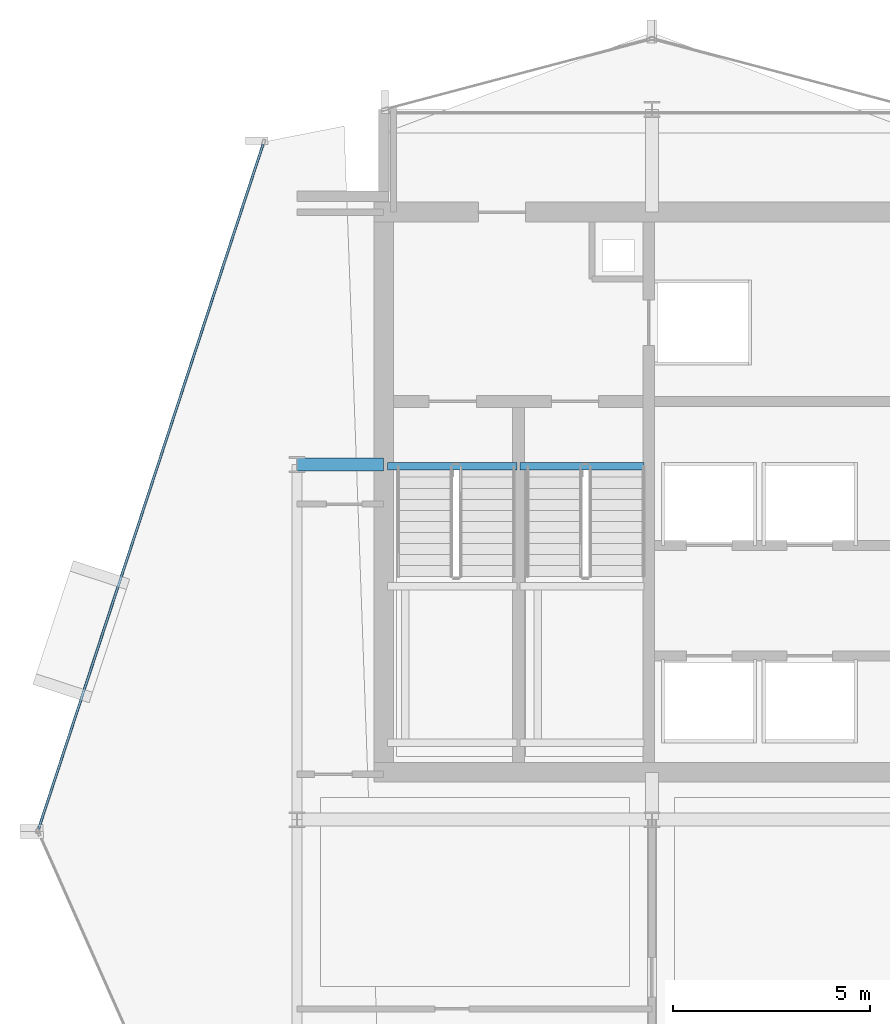
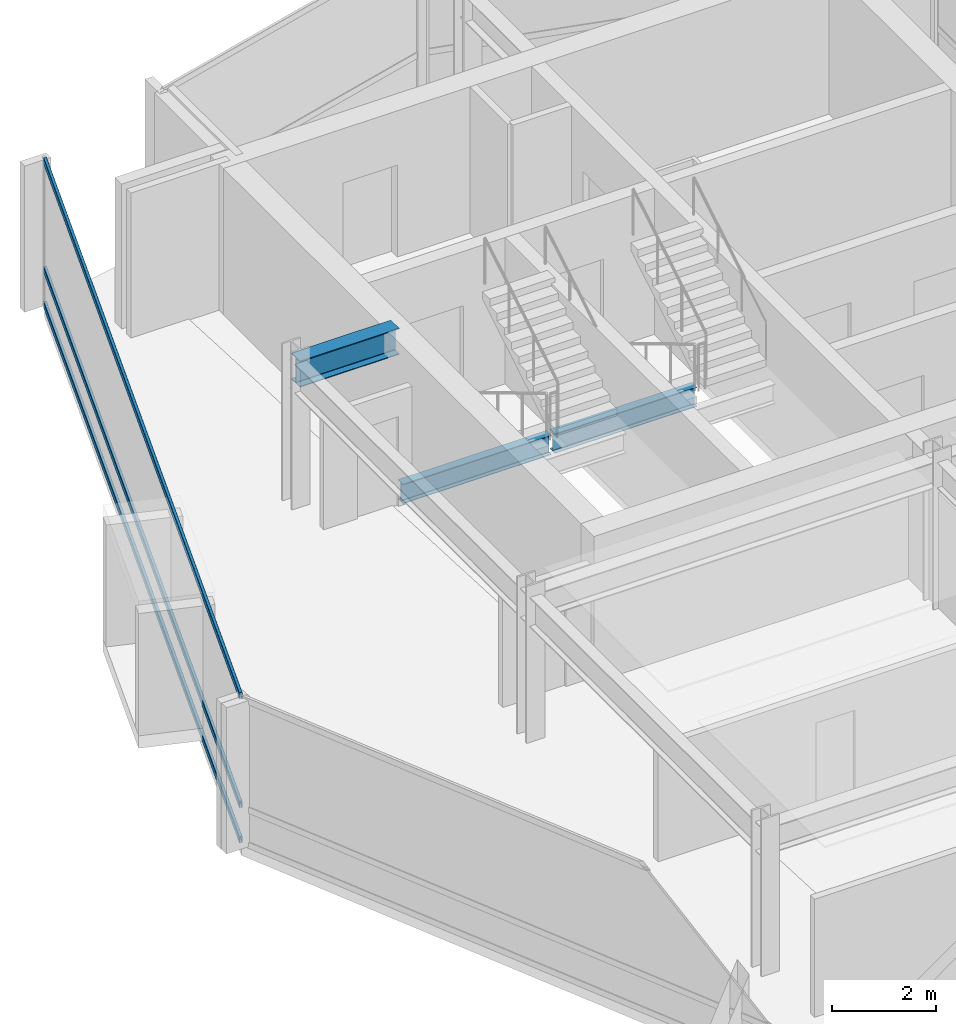
# One storey, part 15 of 28: 3 beams, 3 members, 1 element without a shape of its own.
"""IFC4 building model written with IfcOpenShell, lengths in metres."""

from ifc_helpers import new_model, si_unit, direction, frame, origin, origin_2d, place, context, subcontext, project, spatial, hollow_rectangle, i_section, extrude, material, layer, layer_set, material_profile, profile_set, type_object, element, aggregate, save


model = new_model("IFC4")

# Units and contexts
model_context = context("Model", 3, precision=1e-05, world=origin(), true_north=direction((0.0, 1.0)))
body_context = subcontext(model_context, "Body", "Model", "MODEL_VIEW")
ifc_project = project(units=[si_unit("LENGTHUNIT", "METRE"), si_unit("AREAUNIT", "SQUARE_METRE"), si_unit("VOLUMEUNIT", "CUBIC_METRE"), si_unit("PLANEANGLEUNIT", "RADIAN"), si_unit("MASSUNIT", "GRAM", prefix="KILO")], contexts=[model_context])

# Site, building, storey
site_placement = place(None, origin())
site = spatial("IfcSite", under=ifc_project, at=site_placement, CompositionType="ELEMENT")
building_placement = place(site_placement, origin())
building = spatial("IfcBuilding", under=site, at=building_placement, Name="Solvaryn Broadcast Tower", CompositionType="ELEMENT")
storey_placement = place(building_placement, frame((0.0, 0.0, 209.89990234375)))
storey = spatial("IfcBuildingStorey", under=building, at=storey_placement, Name="L52", CompositionType="ELEMENT", Elevation=209.89990234375)

# Beams
ifc_material_1 = material(Name="Steel ASTM A992 Grade 50", Category="steel")
ifc_material_profile_1 = material_profile(ifc_material_1, i_section(OverallWidth=0.323974609375, OverallDepth=0.611083984375, WebThickness=0.0126953125, FlangeThickness=0.01904296875, FilletRadius=0.014892578125, at=origin_2d()))
ifc_profile_set_1 = profile_set([ifc_material_profile_1], Name="Steel ASTM A992 Grade 50")
beam_type_1 = type_object("IfcBeamType", Name="BM-B1-W24X104", PredefinedType="BEAM", material=ifc_profile_set_1)
beam_1_placement = place(storey_placement, frame((9.0, 36.0, 3.114501953125), z_axis=(1.0, 0.0, 0.0), x_axis=(0.0, 1.0, 0.0)))
element("IfcBeam", 1, at=beam_1_placement, inside=storey, type_object=beam_type_1, Name="L52 Core Tie Beam CTW1", PredefinedType="BEAM", context=body_context, shape_type="SweptSolid", body=[
    extrude(i_section(OverallWidth=0.323974609375, OverallDepth=0.611083984375, WebThickness=0.0126953125, FlangeThickness=0.01904296875, FilletRadius=0.014892578125, at=origin_2d()), origin(), (0.0, 0.0, 1.0), 2.199951171875),
])
ifc_material_2 = material(Name="Steel ASTM A992 Grade 50", Category="steel")
ifc_material_profile_2 = material_profile(ifc_material_2, i_section(OverallWidth=0.18994140625, OverallDepth=0.45703125, WebThickness=0.009033203125, FlangeThickness=0.014404296875, FilletRadius=0.011962890625, at=origin_2d()))
ifc_profile_set_2 = profile_set([ifc_material_profile_2], Name="Steel ASTM A992 Grade 50")
beam_type_2 = type_object("IfcBeamType", Name="BM-B4-W18X50", PredefinedType="BEAM", material=ifc_profile_set_2)
beam_2_placement = place(storey_placement, frame((11.300048828125, 35.9599609375, -0.50830078125), z_axis=(1.0, 0.0, 0.0), x_axis=(0.0, 1.0, 0.0)))
element("IfcBeam", 2, at=beam_2_placement, inside=storey, type_object=beam_type_2, Name="L52 ST1 Stair Well Trimmer Beam", PredefinedType="BEAM", context=body_context, shape_type="SweptSolid", body=[
    extrude(i_section(OverallWidth=0.18994140625, OverallDepth=0.45703125, WebThickness=0.009033203125, FlangeThickness=0.014404296875, FilletRadius=0.011962890625, at=origin_2d()), origin(), (0.0, 0.0, 1.0), 3.280029296875),
])
beam_3_placement = place(storey_placement, frame((14.659912109375, 35.9599609375, -0.50830078125), z_axis=(1.0, 0.0, 0.0), x_axis=(0.0, 1.0, 0.0)))
element("IfcBeam", 3, at=beam_3_placement, inside=storey, type_object=beam_type_2, Name="L52 ST2 Stair Well Trimmer Beam", PredefinedType="BEAM", context=body_context, shape_type="SweptSolid", body=[
    extrude(i_section(OverallWidth=0.18994140625, OverallDepth=0.45703125, WebThickness=0.009033203125, FlangeThickness=0.014404296875, FilletRadius=0.011962890625, at=origin_2d()), origin(), (0.0, 0.0, 1.0), 3.14013671875),
])

# Curtain wall, members
ifc_material_3 = material(Name="Aluminium and Terracotta Unitised Curtain Wall", Category="masonry")
ifc_layer = layer(ifc_material_3, 0.199951171875)
ifc_layer_set = layer_set([ifc_layer], Name="CW-SYS2-LOWMID")
curtain_wall_type = type_object("IfcCurtainWallType", Name="CW-SYS2-LOWMID", PredefinedType="NOTDEFINED", material=ifc_layer_set)
curtain_wall_placement = place(storey_placement, origin())
curtain_wall = element("IfcCurtainWall", 4, at=curtain_wall_placement, inside=storey, type_object=curtain_wall_type, Name="L52 Curtain Wall DR1", PredefinedType="NOTDEFINED")
ifc_material_4 = material(Name="Anodised Aluminium 6063-T6", Category="aluminium")
ifc_material_profile_3 = material_profile(ifc_material_4, hollow_rectangle(XDim=0.06494140625, YDim=0.14990234375, WallThickness=0.00390625, InnerFilletRadius=0.00390625, OuterFilletRadius=0.008056640625, at=origin_2d()))
ifc_profile_set_3 = profile_set([ifc_material_profile_3], Name="Anodised Aluminium 6063-T6")
member_type = type_object("IfcMemberType", Name="CW-TRN-150", PredefinedType="USERDEFINED", material=ifc_profile_set_3)
member_1_placement = place(storey_placement, frame((8.144287109375, 44.125, 0.030029296875), z_axis=(-0.311557987209, -0.950227141586, 0.0), x_axis=(0.950227141586, -0.311557987209, 0.0)))
member_1 = element("IfcMember", 5, at=member_1_placement, type_object=member_type, Name="CWS2 transom 1.1", ObjectType="TRANSOM", PredefinedType="USERDEFINED", context=body_context, shape_type="SweptSolid", body=[
    extrude(hollow_rectangle(XDim=0.06494140625, YDim=0.14990234375, WallThickness=0.00390625, InnerFilletRadius=0.00390625, OuterFilletRadius=0.008056640625, at=origin_2d()), origin(), (0.0, 0.0, 1.0), 18.271484375),
])
member_2_placement = place(storey_placement, frame((8.144287109375, 44.125, 0.85009765625), z_axis=(-0.311557987209, -0.950227141586, 0.0), x_axis=(0.950227141586, -0.311557987209, 0.0)))
member_2 = element("IfcMember", 6, at=member_2_placement, type_object=member_type, Name="CWS2 transom 1.2", ObjectType="TRANSOM", PredefinedType="USERDEFINED", context=body_context, shape_type="SweptSolid", body=[
    extrude(hollow_rectangle(XDim=0.06494140625, YDim=0.14990234375, WallThickness=0.00390625, InnerFilletRadius=0.00390625, OuterFilletRadius=0.008056640625, at=origin_2d()), origin(), (0.0, 0.0, 1.0), 18.271484375),
])
member_3_placement = place(storey_placement, frame((8.144287109375, 44.125, 3.39013671875), z_axis=(-0.311557987209, -0.950227141586, 0.0), x_axis=(0.950227141586, -0.311557987209, 0.0)))
member_3 = element("IfcMember", 7, at=member_3_placement, type_object=member_type, Name="CWS2 transom 1.3", ObjectType="TRANSOM", PredefinedType="USERDEFINED", context=body_context, shape_type="SweptSolid", body=[
    extrude(hollow_rectangle(XDim=0.06494140625, YDim=0.14990234375, WallThickness=0.00390625, InnerFilletRadius=0.00390625, OuterFilletRadius=0.008056640625, at=origin_2d()), origin(), (0.0, 0.0, 1.0), 18.271484375),
])
aggregate(curtain_wall, [member_1, member_2, member_3])

save(model, "model.ifc")
